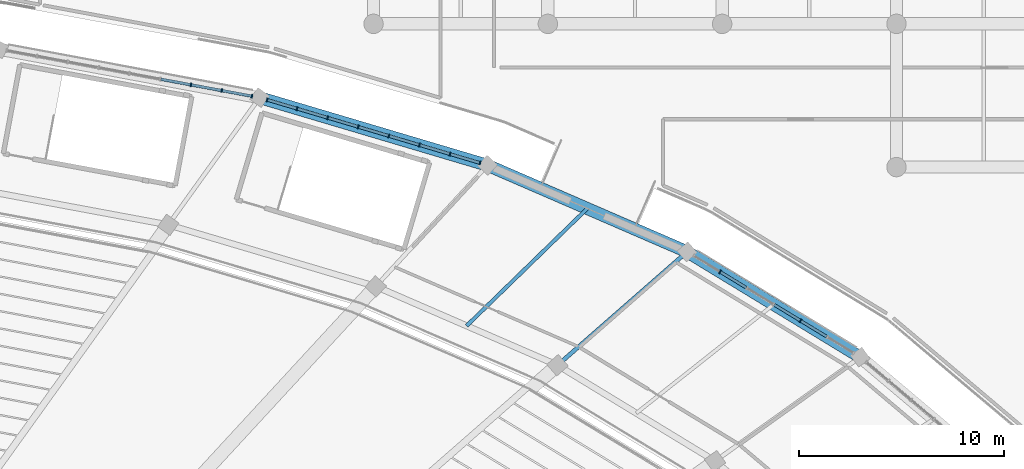
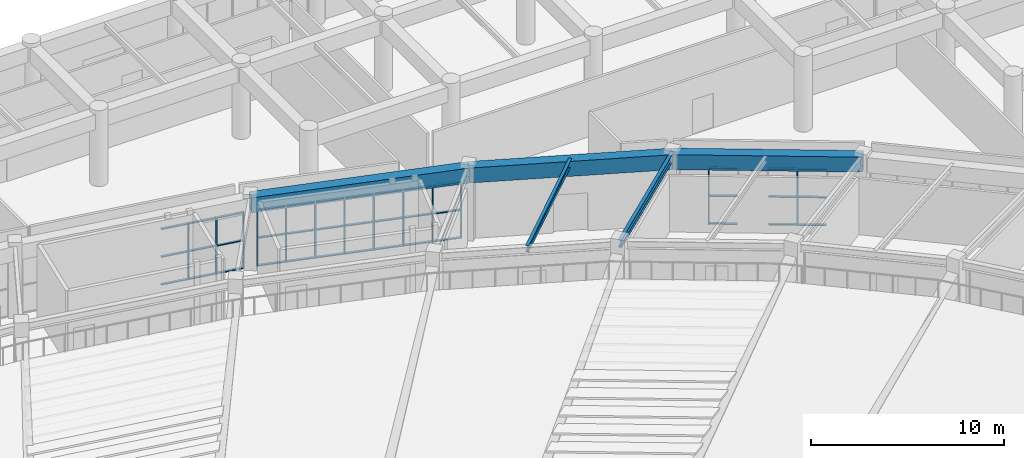
# One storey, part 67 of 137: 52 members, 5 beams, 3 elements without a shape of their own.
"""IFC4 building model written with IfcOpenShell, lengths in metres."""

from ifc_helpers import new_model, si_unit, direction, frame, origin, origin_2d, place, context, subcontext, project, spatial, rectangle, i_section, extrude, material, layer, layer_set, material_profile, profile_set, type_object, element, aggregate, save


model = new_model("IFC4")

# Units and contexts
model_context = context("Model", 3, precision=1e-05, world=origin(), true_north=direction((0.0, 1.0)))
body_context = subcontext(model_context, "Body", "Model", "MODEL_VIEW")
ifc_project = project(units=[si_unit("LENGTHUNIT", "METRE"), si_unit("AREAUNIT", "SQUARE_METRE"), si_unit("VOLUMEUNIT", "CUBIC_METRE"), si_unit("PLANEANGLEUNIT", "RADIAN"), si_unit("MASSUNIT", "GRAM", prefix="KILO")], contexts=[model_context])

# Site, building, storey
site_placement = place(None, origin())
site = spatial("IfcSite", under=ifc_project, at=site_placement, CompositionType="ELEMENT")
building_placement = place(site_placement, origin())
building = spatial("IfcBuilding", under=site, at=building_placement, Name="Mphavela Belvedere Stadium", CompositionType="ELEMENT")
storey_placement = place(building_placement, frame((0.0, 0.0, 19.199951171875)))
storey = spatial("IfcBuildingStorey", under=building, at=storey_placement, Name="L04", CompositionType="ELEMENT", Elevation=19.199951171875)

# Beams
ifc_material_1 = material(Name="Concrete C40/50", Category="concrete")
ifc_material_profile_1 = material_profile(ifc_material_1, rectangle(XDim=0.60009765625, YDim=0.949951171875, at=origin_2d()), Name="RC 600x950")
ifc_profile_set_1 = profile_set([ifc_material_profile_1], Name="Concrete C40/50")
beam_type_1 = type_object("IfcBeamType", Name="BM-ENTABLATURE-950", PredefinedType="SPANDREL", material=ifc_profile_set_1)
beam_1_placement = place(storey_placement, frame((194.155517578125, 143.714599609375, 4.074951171875), z_axis=(-0.854326607994, 0.51973651678, 0.0), x_axis=(-0.51973651678, -0.854326607994, 0.0)))
element("IfcBeam", 1, at=beam_1_placement, inside=storey, type_object=beam_type_1, Name="Circumferential girder L04 R4-07", PredefinedType="SPANDREL", context=body_context, shape_type="SweptSolid", body=[
    extrude(rectangle(XDim=0.60009765625, YDim=0.949951171875, at=origin_2d()), origin(), (0.0, 0.0, 1.0), 9.901611328125),
])
beam_2_placement = place(storey_placement, frame((185.6962890625, 148.86083984375, 4.074951171875), z_axis=(-0.91749867224, 0.397738842004, 0.0), x_axis=(-0.397738842004, -0.91749867224, 0.0)))
element("IfcBeam", 2, at=beam_2_placement, inside=storey, type_object=beam_type_1, Name="Circumferential girder L04 R4-08", PredefinedType="SPANDREL", context=body_context, shape_type="SweptSolid", body=[
    extrude(rectangle(XDim=0.60009765625, YDim=0.949951171875, at=origin_2d()), origin(), (0.0, 0.0, 1.0), 10.63623046875),
])
beam_3_placement = place(storey_placement, frame((175.9375, 153.09130859375, 4.074951171875), z_axis=(-0.958656362639, 0.284566298727, 0.0), x_axis=(-0.284566298727, -0.958656362639, 0.0)))
element("IfcBeam", 3, at=beam_3_placement, inside=storey, type_object=beam_type_1, Name="Circumferential girder L04 R4-09", PredefinedType="SPANDREL", context=body_context, shape_type="SweptSolid", body=[
    extrude(rectangle(XDim=0.60009765625, YDim=0.949951171875, at=origin_2d()), origin(), (0.0, 0.0, 1.0), 11.616455078125),
])
ifc_material_2 = material(Name="Steel S355", Category="steel")
ifc_material_profile_2 = material_profile(ifc_material_2, i_section(OverallWidth=0.179931640625, OverallDepth=0.39990234375, WebThickness=0.008544921875, FlangeThickness=0.013427734375, at=origin_2d()), Name="IPE 400")
ifc_profile_set_2 = profile_set([ifc_material_profile_2], Name="Steel S355")
beam_type_2 = type_object("IfcBeamType", Name="BM-JOIST-IPE400", PredefinedType="JOIST", material=ifc_profile_set_2)
beam_4_placement = place(storey_placement, frame((174.918212890625, 145.242431640625, 4.35009765625), z_axis=(0.717067022089, 0.697004222249, 0.0), x_axis=(-0.697004222249, 0.717067022089, 0.0)))
element("IfcBeam", 4, at=beam_4_placement, inside=storey, type_object=beam_type_2, Name="Concourse floor joist L04-08", PredefinedType="JOIST", context=body_context, shape_type="SweptSolid", body=[
    extrude(i_section(OverallWidth=0.179931640625, OverallDepth=0.39990234375, WebThickness=0.008544921875, FlangeThickness=0.013427734375, at=origin_2d()), origin(), (0.0, 0.0, 1.0), 8.22607421875),
])
ifc_material_3 = material(Name="Steel S355", Category="steel")
ifc_material_profile_3 = material_profile(ifc_material_3, i_section(OverallWidth=0.199951171875, OverallDepth=0.5, WebThickness=0.01025390625, FlangeThickness=0.01611328125, at=origin_2d()), Name="IPE 500")
ifc_profile_set_3 = profile_set([ifc_material_profile_3], Name="Steel S355")
beam_type_3 = type_object("IfcBeamType", Name="BM-STEEL-IPE500", PredefinedType="BEAM", material=ifc_profile_set_3)
beam_5_placement = place(storey_placement, frame((179.360107421875, 143.31689453125, 4.300048828125), z_axis=(0.752589268993, 0.658490236978, 0.0), x_axis=(-0.658490236978, 0.752589268993, 0.0)))
element("IfcBeam", 5, at=beam_5_placement, inside=storey, type_object=beam_type_3, Name="Radial concourse girder L04 R3R4-08", PredefinedType="BEAM", context=body_context, shape_type="SweptSolid", body=[
    extrude(i_section(OverallWidth=0.199951171875, OverallDepth=0.5, WebThickness=0.01025390625, FlangeThickness=0.01611328125, at=origin_2d()), origin(), (0.0, 0.0, 1.0), 8.419189453125),
])

# Curtain wall, members
ifc_material_4 = material(Name="Anodised bronze unitised curtain wall framing")
ifc_layer_1 = layer(ifc_material_4, 0.195068359375)
ifc_layer_set_1 = layer_set([ifc_layer_1], Name="Anodised bronze unitised curtain wall framing")
curtain_wall_type_1 = type_object("IfcCurtainWallType", Name="CW-UNIT-04", PredefinedType="USERDEFINED", material=ifc_layer_set_1)
curtain_wall_1_placement = place(storey_placement, origin())
curtain_wall_1 = element("IfcCurtainWall", 6, at=curtain_wall_1_placement, inside=storey, type_object=curtain_wall_type_1, Name="Belvedere colonnade curtain wall L04-07", ObjectType="UNITISED CURTAIN WALL", PredefinedType="USERDEFINED")
ifc_material_5 = material(Name="Anodised bronze extruded aluminium", Category="aluminium")
ifc_material_profile_4 = material_profile(ifc_material_5, rectangle(XDim=0.179931640625, YDim=0.06494140625, at=origin_2d()), Name="CW-MUL 180x65")
ifc_profile_set_4 = profile_set([ifc_material_profile_4], Name="Anodised bronze extruded aluminium")
member_type_1 = type_object("IfcMemberType", Name="CWM-180x65", PredefinedType="MULLION", material=ifc_profile_set_4)
member_1_placement = place(storey_placement, frame((191.23681640625, 145.490234375, 0.0), z_axis=(0.0, 0.0, 1.0), x_axis=(-0.519735341101, -0.854327323226, 0.0)))
member_1 = element("IfcMember", 7, at=member_1_placement, type_object=member_type_1, Name="CW-04 mullion 3", PredefinedType="MULLION", context=body_context, shape_type="SweptSolid", body=[
    extrude(rectangle(XDim=0.179931640625, YDim=0.06494140625, at=origin_2d()), origin(), (0.0, 0.0, 1.0), 3.570068359375),
])
member_2_placement = place(storey_placement, frame((187.30419921875, 147.882568359375, 0.0), z_axis=(0.0, 0.0, 1.0), x_axis=(-0.519735341101, -0.854327323226, 0.0)))
member_2 = element("IfcMember", 8, at=member_2_placement, type_object=member_type_1, Name="CW-04 mullion 6", PredefinedType="MULLION", context=body_context, shape_type="SweptSolid", body=[
    extrude(rectangle(XDim=0.179931640625, YDim=0.06494140625, at=origin_2d()), origin(), (0.0, 0.0, 1.0), 3.570068359375),
])

ifc_material_6 = material(Name="Anodised bronze unitised curtain wall framing")
ifc_layer_2 = layer(ifc_material_6, 0.199951171875)
ifc_layer_set_2 = layer_set([ifc_layer_2], Name="Anodised bronze unitised curtain wall framing")
curtain_wall_type_2 = type_object("IfcCurtainWallType", Name="CW-UNIT-05", PredefinedType="USERDEFINED", material=ifc_layer_set_2)
curtain_wall_2_placement = place(storey_placement, origin())
curtain_wall_2 = element("IfcCurtainWall", 9, at=curtain_wall_2_placement, inside=storey, type_object=curtain_wall_type_2, Name="Belvedere colonnade curtain wall L04-09", ObjectType="UNITISED CURTAIN WALL", PredefinedType="USERDEFINED")
member_3_placement = place(storey_placement, frame((175.57275390625, 153.199462890625, 0.0), z_axis=(0.0, 0.0, 1.0), x_axis=(-0.284560945489, -0.958657951671, 0.0)))
member_3 = element("IfcMember", 10, at=member_3_placement, type_object=member_type_1, Name="CW-05 mullion 1", PredefinedType="MULLION", context=body_context, shape_type="SweptSolid", body=[
    extrude(rectangle(XDim=0.179931640625, YDim=0.06494140625, at=origin_2d()), origin(), (0.0, 0.0, 1.0), 3.570068359375),
])
member_4_placement = place(storey_placement, frame((174.1083984375, 153.63427734375, 0.0), z_axis=(0.0, 0.0, 1.0), x_axis=(-0.284560945489, -0.958657951671, 0.0)))
member_4 = element("IfcMember", 11, at=member_4_placement, type_object=member_type_1, Name="CW-05 mullion 2", PredefinedType="MULLION", context=body_context, shape_type="SweptSolid", body=[
    extrude(rectangle(XDim=0.179931640625, YDim=0.06494140625, at=origin_2d()), origin(), (0.0, 0.0, 1.0), 3.570068359375),
])
member_5_placement = place(storey_placement, frame((172.61279296875, 154.078125, 0.0), z_axis=(0.0, 0.0, 1.0), x_axis=(-0.284560945489, -0.958657951671, 0.0)))
member_5 = element("IfcMember", 12, at=member_5_placement, type_object=member_type_1, Name="CW-05 mullion 3", PredefinedType="MULLION", context=body_context, shape_type="SweptSolid", body=[
    extrude(rectangle(XDim=0.179931640625, YDim=0.06494140625, at=origin_2d()), origin(), (0.0, 0.0, 1.0), 3.570068359375),
])
member_6_placement = place(storey_placement, frame((171.1171875, 154.522216796875, 0.0), z_axis=(0.0, 0.0, 1.0), x_axis=(-0.284560945489, -0.958657951671, 0.0)))
member_6 = element("IfcMember", 13, at=member_6_placement, type_object=member_type_1, Name="CW-05 mullion 4", PredefinedType="MULLION", context=body_context, shape_type="SweptSolid", body=[
    extrude(rectangle(XDim=0.179931640625, YDim=0.06494140625, at=origin_2d()), origin(), (0.0, 0.0, 1.0), 3.570068359375),
])
member_7_placement = place(storey_placement, frame((169.62158203125, 154.966064453125, 0.0), z_axis=(0.0, 0.0, 1.0), x_axis=(-0.284560945489, -0.958657951671, 0.0)))
member_7 = element("IfcMember", 14, at=member_7_placement, type_object=member_type_1, Name="CW-05 mullion 5", PredefinedType="MULLION", context=body_context, shape_type="SweptSolid", body=[
    extrude(rectangle(XDim=0.179931640625, YDim=0.06494140625, at=origin_2d()), origin(), (0.0, 0.0, 1.0), 3.570068359375),
])
member_8_placement = place(storey_placement, frame((168.1259765625, 155.409912109375, 0.0), z_axis=(0.0, 0.0, 1.0), x_axis=(-0.284560945489, -0.958657951671, 0.0)))
member_8 = element("IfcMember", 15, at=member_8_placement, type_object=member_type_1, Name="CW-05 mullion 6", PredefinedType="MULLION", context=body_context, shape_type="SweptSolid", body=[
    extrude(rectangle(XDim=0.179931640625, YDim=0.06494140625, at=origin_2d()), origin(), (0.0, 0.0, 1.0), 3.570068359375),
])
member_9_placement = place(storey_placement, frame((166.63037109375, 155.85400390625, 0.0), z_axis=(0.0, 0.0, 1.0), x_axis=(-0.284560945489, -0.958657951671, 0.0)))
member_9 = element("IfcMember", 16, at=member_9_placement, type_object=member_type_1, Name="CW-05 mullion 7", PredefinedType="MULLION", context=body_context, shape_type="SweptSolid", body=[
    extrude(rectangle(XDim=0.179931640625, YDim=0.06494140625, at=origin_2d()), origin(), (0.0, 0.0, 1.0), 3.570068359375),
])
member_10_placement = place(storey_placement, frame((165.166015625, 156.28857421875, 0.0), z_axis=(0.0, 0.0, 1.0), x_axis=(-0.284560945489, -0.958657951671, 0.0)))
member_10 = element("IfcMember", 17, at=member_10_placement, type_object=member_type_1, Name="CW-05 mullion 8", PredefinedType="MULLION", context=body_context, shape_type="SweptSolid", body=[
    extrude(rectangle(XDim=0.179931640625, YDim=0.06494140625, at=origin_2d()), origin(), (0.0, 0.0, 1.0), 3.570068359375),
])

ifc_material_7 = material(Name="Anodised bronze unitised curtain wall framing")
ifc_layer_3 = layer(ifc_material_7, 0.205078125)
ifc_layer_set_3 = layer_set([ifc_layer_3], Name="Anodised bronze unitised curtain wall framing")
curtain_wall_type_3 = type_object("IfcCurtainWallType", Name="CW-UNIT-06", PredefinedType="USERDEFINED", material=ifc_layer_set_3)
curtain_wall_3_placement = place(storey_placement, origin())
curtain_wall_3 = element("IfcCurtainWall", 18, at=curtain_wall_3_placement, inside=storey, type_object=curtain_wall_type_3, Name="Belvedere colonnade curtain wall L04-10", ObjectType="UNITISED CURTAIN WALL", PredefinedType="USERDEFINED")
member_11_placement = place(storey_placement, frame((164.42724609375, 156.466552734375, 0.0), z_axis=(0.0, 0.0, 1.0), x_axis=(-0.183090835302, -0.983096000413, 0.0)))
member_11 = element("IfcMember", 19, at=member_11_placement, type_object=member_type_1, Name="CW-06 mullion 1", PredefinedType="MULLION", context=body_context, shape_type="SweptSolid", body=[
    extrude(rectangle(XDim=0.179931640625, YDim=0.06494140625, at=origin_2d()), origin(), (0.0, 0.0, 1.0), 3.570068359375),
])
member_12_placement = place(storey_placement, frame((162.95361328125, 156.740966796875, 0.0), z_axis=(0.0, 0.0, 1.0), x_axis=(-0.183090835302, -0.983096000413, 0.0)))
member_12 = element("IfcMember", 20, at=member_12_placement, type_object=member_type_1, Name="CW-06 mullion 2", PredefinedType="MULLION", context=body_context, shape_type="SweptSolid", body=[
    extrude(rectangle(XDim=0.179931640625, YDim=0.06494140625, at=origin_2d()), origin(), (0.0, 0.0, 1.0), 3.570068359375),
])
member_13_placement = place(storey_placement, frame((161.447998046875, 157.021484375, 0.0), z_axis=(0.0, 0.0, 1.0), x_axis=(-0.183090835302, -0.983096000413, 0.0)))
member_13 = element("IfcMember", 21, at=member_13_placement, type_object=member_type_1, Name="CW-06 mullion 3", PredefinedType="MULLION", context=body_context, shape_type="SweptSolid", body=[
    extrude(rectangle(XDim=0.179931640625, YDim=0.06494140625, at=origin_2d()), origin(), (0.0, 0.0, 1.0), 3.570068359375),
])

# Member
ifc_material_8 = material(Name="Anodised bronze extruded aluminium", Category="aluminium")
ifc_material_profile_5 = material_profile(ifc_material_8, rectangle(XDim=0.139892578125, YDim=0.06005859375, at=origin_2d()), Name="CW-TRN 140x60")
ifc_profile_set_5 = profile_set([ifc_material_profile_5], Name="Anodised bronze extruded aluminium")
member_type_2 = type_object("IfcMemberType", Name="CWT-140x60", PredefinedType="USERDEFINED", material=ifc_profile_set_5)
member_14_placement = place(storey_placement, frame((192.519775390625, 144.709716796875, 0.030029296875), z_axis=(-0.854339693741, 0.519715006228, 0.0), x_axis=(-0.519715006228, -0.854339693741, 0.0)))
member_14 = element("IfcMember", 22, at=member_14_placement, type_object=member_type_2, Name="CW-04 transom 2.1", ObjectType="TRANSOM", PredefinedType="USERDEFINED", context=body_context, shape_type="SweptSolid", body=[
    extrude(rectangle(XDim=0.139892578125, YDim=0.06005859375, at=origin_2d()), origin(), (0.0, 0.0, 1.0), 1.469482421875),
])

member_15_placement = place(storey_placement, frame((192.519775390625, 144.709716796875, 1.78515625), z_axis=(-0.854339693741, 0.519715006228, 0.0), x_axis=(-0.519715006228, -0.854339693741, 0.0)))
member_15 = element("IfcMember", 23, at=member_15_placement, type_object=member_type_2, Name="CW-04 transom 2.2", ObjectType="TRANSOM", PredefinedType="USERDEFINED", context=body_context, shape_type="SweptSolid", body=[
    extrude(rectangle(XDim=0.139892578125, YDim=0.06005859375, at=origin_2d()), origin(), (0.0, 0.0, 1.0), 1.469482421875),
])

member_16_placement = place(storey_placement, frame((192.519775390625, 144.709716796875, 3.5400390625), z_axis=(-0.854339693741, 0.519715006228, 0.0), x_axis=(-0.519715006228, -0.854339693741, 0.0)))
member_16 = element("IfcMember", 24, at=member_16_placement, type_object=member_type_2, Name="CW-04 transom 2.3", ObjectType="TRANSOM", PredefinedType="USERDEFINED", context=body_context, shape_type="SweptSolid", body=[
    extrude(rectangle(XDim=0.139892578125, YDim=0.06005859375, at=origin_2d()), origin(), (0.0, 0.0, 1.0), 1.469482421875),
])

member_17_placement = place(storey_placement, frame((191.208984375, 145.507080078125, 0.030029296875), z_axis=(-0.854339693741, 0.519715006228, 0.0), x_axis=(-0.519715006228, -0.854339693741, 0.0)))
member_17 = element("IfcMember", 25, at=member_17_placement, type_object=member_type_2, Name="CW-04 transom 3.1", ObjectType="TRANSOM", PredefinedType="USERDEFINED", context=body_context, shape_type="SweptSolid", body=[
    extrude(rectangle(XDim=0.139892578125, YDim=0.06005859375, at=origin_2d()), origin(), (0.0, 0.0, 1.0), 1.469482421875),
])

member_18_placement = place(storey_placement, frame((191.208984375, 145.507080078125, 1.78515625), z_axis=(-0.854339693741, 0.519715006228, 0.0), x_axis=(-0.519715006228, -0.854339693741, 0.0)))
member_18 = element("IfcMember", 26, at=member_18_placement, type_object=member_type_2, Name="CW-04 transom 3.2", ObjectType="TRANSOM", PredefinedType="USERDEFINED", context=body_context, shape_type="SweptSolid", body=[
    extrude(rectangle(XDim=0.139892578125, YDim=0.06005859375, at=origin_2d()), origin(), (0.0, 0.0, 1.0), 1.469482421875),
])

member_19_placement = place(storey_placement, frame((191.208984375, 145.507080078125, 3.5400390625), z_axis=(-0.854339693741, 0.519715006228, 0.0), x_axis=(-0.519715006228, -0.854339693741, 0.0)))
member_19 = element("IfcMember", 27, at=member_19_placement, type_object=member_type_2, Name="CW-04 transom 3.3", ObjectType="TRANSOM", PredefinedType="USERDEFINED", context=body_context, shape_type="SweptSolid", body=[
    extrude(rectangle(XDim=0.139892578125, YDim=0.06005859375, at=origin_2d()), origin(), (0.0, 0.0, 1.0), 1.469482421875),
])

member_20_placement = place(storey_placement, frame((188.58740234375, 147.10205078125, 0.030029296875), z_axis=(-0.854339693741, 0.519715006228, 0.0), x_axis=(-0.519715006228, -0.854339693741, 0.0)))
member_20 = element("IfcMember", 28, at=member_20_placement, type_object=member_type_2, Name="CW-04 transom 5.1", ObjectType="TRANSOM", PredefinedType="USERDEFINED", context=body_context, shape_type="SweptSolid", body=[
    extrude(rectangle(XDim=0.139892578125, YDim=0.06005859375, at=origin_2d()), origin(), (0.0, 0.0, 1.0), 1.469482421875),
])

member_21_placement = place(storey_placement, frame((188.58740234375, 147.10205078125, 1.78515625), z_axis=(-0.854339693741, 0.519715006228, 0.0), x_axis=(-0.519715006228, -0.854339693741, 0.0)))
member_21 = element("IfcMember", 29, at=member_21_placement, type_object=member_type_2, Name="CW-04 transom 5.2", ObjectType="TRANSOM", PredefinedType="USERDEFINED", context=body_context, shape_type="SweptSolid", body=[
    extrude(rectangle(XDim=0.139892578125, YDim=0.06005859375, at=origin_2d()), origin(), (0.0, 0.0, 1.0), 1.469482421875),
])

member_22_placement = place(storey_placement, frame((188.58740234375, 147.10205078125, 3.5400390625), z_axis=(-0.854339693741, 0.519715006228, 0.0), x_axis=(-0.519715006228, -0.854339693741, 0.0)))
member_22 = element("IfcMember", 30, at=member_22_placement, type_object=member_type_2, Name="CW-04 transom 5.3", ObjectType="TRANSOM", PredefinedType="USERDEFINED", context=body_context, shape_type="SweptSolid", body=[
    extrude(rectangle(XDim=0.139892578125, YDim=0.06005859375, at=origin_2d()), origin(), (0.0, 0.0, 1.0), 1.469482421875),
])

aggregate(curtain_wall_1, [member_1, member_2, member_14, member_15, member_16, member_17, member_18, member_19, member_20, member_21, member_22])

member_23_placement = place(storey_placement, frame((175.541748046875, 153.208740234375, 0.030029296875), z_axis=(-0.958644731481, 0.284605479223, 0.0), x_axis=(-0.284605479223, -0.958644731481, 0.0)))
member_23 = element("IfcMember", 31, at=member_23_placement, type_object=member_type_2, Name="CW-05 transom 1.1", ObjectType="TRANSOM", PredefinedType="USERDEFINED", context=body_context, shape_type="SweptSolid", body=[
    extrude(rectangle(XDim=0.139892578125, YDim=0.06005859375, at=origin_2d()), origin(), (0.0, 0.0, 1.0), 1.462646484375),
])

member_24_placement = place(storey_placement, frame((175.541748046875, 153.208740234375, 1.78515625), z_axis=(-0.958644731481, 0.284605479223, 0.0), x_axis=(-0.284605479223, -0.958644731481, 0.0)))
member_24 = element("IfcMember", 32, at=member_24_placement, type_object=member_type_2, Name="CW-05 transom 1.2", ObjectType="TRANSOM", PredefinedType="USERDEFINED", context=body_context, shape_type="SweptSolid", body=[
    extrude(rectangle(XDim=0.139892578125, YDim=0.06005859375, at=origin_2d()), origin(), (0.0, 0.0, 1.0), 1.462646484375),
])

member_25_placement = place(storey_placement, frame((175.541748046875, 153.208740234375, 3.5400390625), z_axis=(-0.958644731481, 0.284605479223, 0.0), x_axis=(-0.284605479223, -0.958644731481, 0.0)))
member_25 = element("IfcMember", 33, at=member_25_placement, type_object=member_type_2, Name="CW-05 transom 1.3", ObjectType="TRANSOM", PredefinedType="USERDEFINED", context=body_context, shape_type="SweptSolid", body=[
    extrude(rectangle(XDim=0.139892578125, YDim=0.06005859375, at=origin_2d()), origin(), (0.0, 0.0, 1.0), 1.462646484375),
])

member_26_placement = place(storey_placement, frame((174.0771484375, 153.6435546875, 0.030029296875), z_axis=(-0.958676102342, 0.284499790508, 0.0), x_axis=(-0.284499790508, -0.958676102342, 0.0)))
member_26 = element("IfcMember", 34, at=member_26_placement, type_object=member_type_2, Name="CW-05 transom 2.1", ObjectType="TRANSOM", PredefinedType="USERDEFINED", context=body_context, shape_type="SweptSolid", body=[
    extrude(rectangle(XDim=0.139892578125, YDim=0.06005859375, at=origin_2d()), origin(), (0.0, 0.0, 1.0), 1.494873046875),
])

member_27_placement = place(storey_placement, frame((174.0771484375, 153.6435546875, 1.78515625), z_axis=(-0.958676102342, 0.284499790508, 0.0), x_axis=(-0.284499790508, -0.958676102342, 0.0)))
member_27 = element("IfcMember", 35, at=member_27_placement, type_object=member_type_2, Name="CW-05 transom 2.2", ObjectType="TRANSOM", PredefinedType="USERDEFINED", context=body_context, shape_type="SweptSolid", body=[
    extrude(rectangle(XDim=0.139892578125, YDim=0.06005859375, at=origin_2d()), origin(), (0.0, 0.0, 1.0), 1.494873046875),
])

member_28_placement = place(storey_placement, frame((174.0771484375, 153.6435546875, 3.5400390625), z_axis=(-0.958676102342, 0.284499790508, 0.0), x_axis=(-0.284499790508, -0.958676102342, 0.0)))
member_28 = element("IfcMember", 36, at=member_28_placement, type_object=member_type_2, Name="CW-05 transom 2.3", ObjectType="TRANSOM", PredefinedType="USERDEFINED", context=body_context, shape_type="SweptSolid", body=[
    extrude(rectangle(XDim=0.139892578125, YDim=0.06005859375, at=origin_2d()), origin(), (0.0, 0.0, 1.0), 1.494873046875),
])

member_29_placement = place(storey_placement, frame((172.58154296875, 154.08740234375, 0.030029296875), z_axis=(-0.958631548823, 0.284649878977, 0.0), x_axis=(-0.284649878977, -0.958631548823, 0.0)))
member_29 = element("IfcMember", 37, at=member_29_placement, type_object=member_type_2, Name="CW-05 transom 3.1", ObjectType="TRANSOM", PredefinedType="USERDEFINED", context=body_context, shape_type="SweptSolid", body=[
    extrude(rectangle(XDim=0.139892578125, YDim=0.06005859375, at=origin_2d()), origin(), (0.0, 0.0, 1.0), 1.494873046875),
])

member_30_placement = place(storey_placement, frame((172.58154296875, 154.08740234375, 1.78515625), z_axis=(-0.958631548823, 0.284649878977, 0.0), x_axis=(-0.284649878977, -0.958631548823, 0.0)))
member_30 = element("IfcMember", 38, at=member_30_placement, type_object=member_type_2, Name="CW-05 transom 3.2", ObjectType="TRANSOM", PredefinedType="USERDEFINED", context=body_context, shape_type="SweptSolid", body=[
    extrude(rectangle(XDim=0.139892578125, YDim=0.06005859375, at=origin_2d()), origin(), (0.0, 0.0, 1.0), 1.494873046875),
])

member_31_placement = place(storey_placement, frame((172.58154296875, 154.08740234375, 3.5400390625), z_axis=(-0.958631548823, 0.284649878977, 0.0), x_axis=(-0.284649878977, -0.958631548823, 0.0)))
member_31 = element("IfcMember", 39, at=member_31_placement, type_object=member_type_2, Name="CW-05 transom 3.3", ObjectType="TRANSOM", PredefinedType="USERDEFINED", context=body_context, shape_type="SweptSolid", body=[
    extrude(rectangle(XDim=0.139892578125, YDim=0.06005859375, at=origin_2d()), origin(), (0.0, 0.0, 1.0), 1.494873046875),
])

member_32_placement = place(storey_placement, frame((171.0859375, 154.531494140625, 0.030029296875), z_axis=(-0.958676102342, 0.284499790508, 0.0), x_axis=(-0.284499790508, -0.958676102342, 0.0)))
member_32 = element("IfcMember", 40, at=member_32_placement, type_object=member_type_2, Name="CW-05 transom 4.1", ObjectType="TRANSOM", PredefinedType="USERDEFINED", context=body_context, shape_type="SweptSolid", body=[
    extrude(rectangle(XDim=0.139892578125, YDim=0.06005859375, at=origin_2d()), origin(), (0.0, 0.0, 1.0), 1.494873046875),
])

member_33_placement = place(storey_placement, frame((171.0859375, 154.531494140625, 1.78515625), z_axis=(-0.958676102342, 0.284499790508, 0.0), x_axis=(-0.284499790508, -0.958676102342, 0.0)))
member_33 = element("IfcMember", 41, at=member_33_placement, type_object=member_type_2, Name="CW-05 transom 4.2", ObjectType="TRANSOM", PredefinedType="USERDEFINED", context=body_context, shape_type="SweptSolid", body=[
    extrude(rectangle(XDim=0.139892578125, YDim=0.06005859375, at=origin_2d()), origin(), (0.0, 0.0, 1.0), 1.494873046875),
])

member_34_placement = place(storey_placement, frame((171.0859375, 154.531494140625, 3.5400390625), z_axis=(-0.958676102342, 0.284499790508, 0.0), x_axis=(-0.284499790508, -0.958676102342, 0.0)))
member_34 = element("IfcMember", 42, at=member_34_placement, type_object=member_type_2, Name="CW-05 transom 4.3", ObjectType="TRANSOM", PredefinedType="USERDEFINED", context=body_context, shape_type="SweptSolid", body=[
    extrude(rectangle(XDim=0.139892578125, YDim=0.06005859375, at=origin_2d()), origin(), (0.0, 0.0, 1.0), 1.494873046875),
])

member_35_placement = place(storey_placement, frame((169.59033203125, 154.975341796875, 0.030029296875), z_axis=(-0.958631548823, 0.284649878977, 0.0), x_axis=(-0.284649878977, -0.958631548823, 0.0)))
member_35 = element("IfcMember", 43, at=member_35_placement, type_object=member_type_2, Name="CW-05 transom 5.1", ObjectType="TRANSOM", PredefinedType="USERDEFINED", context=body_context, shape_type="SweptSolid", body=[
    extrude(rectangle(XDim=0.139892578125, YDim=0.06005859375, at=origin_2d()), origin(), (0.0, 0.0, 1.0), 1.494873046875),
])

member_36_placement = place(storey_placement, frame((169.59033203125, 154.975341796875, 1.78515625), z_axis=(-0.958631548823, 0.284649878977, 0.0), x_axis=(-0.284649878977, -0.958631548823, 0.0)))
member_36 = element("IfcMember", 44, at=member_36_placement, type_object=member_type_2, Name="CW-05 transom 5.2", ObjectType="TRANSOM", PredefinedType="USERDEFINED", context=body_context, shape_type="SweptSolid", body=[
    extrude(rectangle(XDim=0.139892578125, YDim=0.06005859375, at=origin_2d()), origin(), (0.0, 0.0, 1.0), 1.494873046875),
])

member_37_placement = place(storey_placement, frame((169.59033203125, 154.975341796875, 3.5400390625), z_axis=(-0.958631548823, 0.284649878977, 0.0), x_axis=(-0.284649878977, -0.958631548823, 0.0)))
member_37 = element("IfcMember", 45, at=member_37_placement, type_object=member_type_2, Name="CW-05 transom 5.3", ObjectType="TRANSOM", PredefinedType="USERDEFINED", context=body_context, shape_type="SweptSolid", body=[
    extrude(rectangle(XDim=0.139892578125, YDim=0.06005859375, at=origin_2d()), origin(), (0.0, 0.0, 1.0), 1.494873046875),
])

member_38_placement = place(storey_placement, frame((168.0947265625, 155.419189453125, 0.030029296875), z_axis=(-0.958631548823, 0.284649878977, 0.0), x_axis=(-0.284649878977, -0.958631548823, 0.0)))
member_38 = element("IfcMember", 46, at=member_38_placement, type_object=member_type_2, Name="CW-05 transom 6.1", ObjectType="TRANSOM", PredefinedType="USERDEFINED", context=body_context, shape_type="SweptSolid", body=[
    extrude(rectangle(XDim=0.139892578125, YDim=0.06005859375, at=origin_2d()), origin(), (0.0, 0.0, 1.0), 1.494873046875),
])

member_39_placement = place(storey_placement, frame((168.0947265625, 155.419189453125, 1.78515625), z_axis=(-0.958631548823, 0.284649878977, 0.0), x_axis=(-0.284649878977, -0.958631548823, 0.0)))
member_39 = element("IfcMember", 47, at=member_39_placement, type_object=member_type_2, Name="CW-05 transom 6.2", ObjectType="TRANSOM", PredefinedType="USERDEFINED", context=body_context, shape_type="SweptSolid", body=[
    extrude(rectangle(XDim=0.139892578125, YDim=0.06005859375, at=origin_2d()), origin(), (0.0, 0.0, 1.0), 1.494873046875),
])

member_40_placement = place(storey_placement, frame((168.0947265625, 155.419189453125, 3.5400390625), z_axis=(-0.958631548823, 0.284649878977, 0.0), x_axis=(-0.284649878977, -0.958631548823, 0.0)))
member_40 = element("IfcMember", 48, at=member_40_placement, type_object=member_type_2, Name="CW-05 transom 6.3", ObjectType="TRANSOM", PredefinedType="USERDEFINED", context=body_context, shape_type="SweptSolid", body=[
    extrude(rectangle(XDim=0.139892578125, YDim=0.06005859375, at=origin_2d()), origin(), (0.0, 0.0, 1.0), 1.494873046875),
])

member_41_placement = place(storey_placement, frame((166.599365234375, 155.86328125, 0.030029296875), z_axis=(-0.958703767899, 0.28440654953, 0.0), x_axis=(-0.28440654953, -0.958703767899, 0.0)))
member_41 = element("IfcMember", 49, at=member_41_placement, type_object=member_type_2, Name="CW-05 transom 7.1", ObjectType="TRANSOM", PredefinedType="USERDEFINED", context=body_context, shape_type="SweptSolid", body=[
    extrude(rectangle(XDim=0.139892578125, YDim=0.06005859375, at=origin_2d()), origin(), (0.0, 0.0, 1.0), 1.462646484375),
])

member_42_placement = place(storey_placement, frame((166.599365234375, 155.86328125, 1.78515625), z_axis=(-0.958703767899, 0.28440654953, 0.0), x_axis=(-0.28440654953, -0.958703767899, 0.0)))
member_42 = element("IfcMember", 50, at=member_42_placement, type_object=member_type_2, Name="CW-05 transom 7.2", ObjectType="TRANSOM", PredefinedType="USERDEFINED", context=body_context, shape_type="SweptSolid", body=[
    extrude(rectangle(XDim=0.139892578125, YDim=0.06005859375, at=origin_2d()), origin(), (0.0, 0.0, 1.0), 1.462646484375),
])

member_43_placement = place(storey_placement, frame((166.599365234375, 155.86328125, 3.5400390625), z_axis=(-0.958703767899, 0.28440654953, 0.0), x_axis=(-0.28440654953, -0.958703767899, 0.0)))
member_43 = element("IfcMember", 51, at=member_43_placement, type_object=member_type_2, Name="CW-05 transom 7.3", ObjectType="TRANSOM", PredefinedType="USERDEFINED", context=body_context, shape_type="SweptSolid", body=[
    extrude(rectangle(XDim=0.139892578125, YDim=0.06005859375, at=origin_2d()), origin(), (0.0, 0.0, 1.0), 1.462646484375),
])

aggregate(curtain_wall_2, [member_3, member_4, member_5, member_6, member_7, member_8, member_9, member_10, member_23, member_24, member_25, member_26, member_27, member_28, member_29, member_30, member_31, member_32, member_33, member_34, member_35, member_36, member_37, member_38, member_39, member_40, member_41, member_42, member_43])

member_44_placement = place(storey_placement, frame((164.395263671875, 156.472412109375, 0.030029296875), z_axis=(-0.9830758938, 0.183198763722, 0.0), x_axis=(-0.183198763722, -0.9830758938, 0.0)))
member_44 = element("IfcMember", 52, at=member_44_placement, type_object=member_type_2, Name="CW-06 transom 1.1", ObjectType="TRANSOM", PredefinedType="USERDEFINED", context=body_context, shape_type="SweptSolid", body=[
    extrude(rectangle(XDim=0.139892578125, YDim=0.06005859375, at=origin_2d()), origin(), (0.0, 0.0, 1.0), 1.433837890625),
])

member_45_placement = place(storey_placement, frame((164.395263671875, 156.472412109375, 1.78515625), z_axis=(-0.9830758938, 0.183198763722, 0.0), x_axis=(-0.183198763722, -0.9830758938, 0.0)))
member_45 = element("IfcMember", 53, at=member_45_placement, type_object=member_type_2, Name="CW-06 transom 1.2", ObjectType="TRANSOM", PredefinedType="USERDEFINED", context=body_context, shape_type="SweptSolid", body=[
    extrude(rectangle(XDim=0.139892578125, YDim=0.06005859375, at=origin_2d()), origin(), (0.0, 0.0, 1.0), 1.433837890625),
])

member_46_placement = place(storey_placement, frame((164.395263671875, 156.472412109375, 3.5400390625), z_axis=(-0.9830758938, 0.183198763722, 0.0), x_axis=(-0.183198763722, -0.9830758938, 0.0)))
member_46 = element("IfcMember", 54, at=member_46_placement, type_object=member_type_2, Name="CW-06 transom 1.3", ObjectType="TRANSOM", PredefinedType="USERDEFINED", context=body_context, shape_type="SweptSolid", body=[
    extrude(rectangle(XDim=0.139892578125, YDim=0.06005859375, at=origin_2d()), origin(), (0.0, 0.0, 1.0), 1.433837890625),
])

member_47_placement = place(storey_placement, frame((162.921630859375, 156.746826171875, 0.030029296875), z_axis=(-0.983088250536, 0.183132442945, 0.0), x_axis=(-0.183132442945, -0.983088250536, 0.0)))
member_47 = element("IfcMember", 55, at=member_47_placement, type_object=member_type_2, Name="CW-06 transom 2.1", ObjectType="TRANSOM", PredefinedType="USERDEFINED", context=body_context, shape_type="SweptSolid", body=[
    extrude(rectangle(XDim=0.139892578125, YDim=0.06005859375, at=origin_2d()), origin(), (0.0, 0.0, 1.0), 1.466552734375),
])

member_48_placement = place(storey_placement, frame((162.921630859375, 156.746826171875, 1.78515625), z_axis=(-0.983088250536, 0.183132442945, 0.0), x_axis=(-0.183132442945, -0.983088250536, 0.0)))
member_48 = element("IfcMember", 56, at=member_48_placement, type_object=member_type_2, Name="CW-06 transom 2.2", ObjectType="TRANSOM", PredefinedType="USERDEFINED", context=body_context, shape_type="SweptSolid", body=[
    extrude(rectangle(XDim=0.139892578125, YDim=0.06005859375, at=origin_2d()), origin(), (0.0, 0.0, 1.0), 1.466552734375),
])

member_49_placement = place(storey_placement, frame((162.921630859375, 156.746826171875, 3.5400390625), z_axis=(-0.983088250536, 0.183132442945, 0.0), x_axis=(-0.183132442945, -0.983088250536, 0.0)))
member_49 = element("IfcMember", 57, at=member_49_placement, type_object=member_type_2, Name="CW-06 transom 2.3", ObjectType="TRANSOM", PredefinedType="USERDEFINED", context=body_context, shape_type="SweptSolid", body=[
    extrude(rectangle(XDim=0.139892578125, YDim=0.06005859375, at=origin_2d()), origin(), (0.0, 0.0, 1.0), 1.466552734375),
])

member_50_placement = place(storey_placement, frame((161.416015625, 157.02734375, 0.030029296875), z_axis=(-0.983088250536, 0.183132442945, 0.0), x_axis=(-0.183132442945, -0.983088250536, 0.0)))
member_50 = element("IfcMember", 58, at=member_50_placement, type_object=member_type_2, Name="CW-06 transom 3.1", ObjectType="TRANSOM", PredefinedType="USERDEFINED", context=body_context, shape_type="SweptSolid", body=[
    extrude(rectangle(XDim=0.139892578125, YDim=0.06005859375, at=origin_2d()), origin(), (0.0, 0.0, 1.0), 1.466552734375),
])

member_51_placement = place(storey_placement, frame((161.416015625, 157.02734375, 1.78515625), z_axis=(-0.983088250536, 0.183132442945, 0.0), x_axis=(-0.183132442945, -0.983088250536, 0.0)))
member_51 = element("IfcMember", 59, at=member_51_placement, type_object=member_type_2, Name="CW-06 transom 3.2", ObjectType="TRANSOM", PredefinedType="USERDEFINED", context=body_context, shape_type="SweptSolid", body=[
    extrude(rectangle(XDim=0.139892578125, YDim=0.06005859375, at=origin_2d()), origin(), (0.0, 0.0, 1.0), 1.466552734375),
])

member_52_placement = place(storey_placement, frame((161.416015625, 157.02734375, 3.5400390625), z_axis=(-0.983088250536, 0.183132442945, 0.0), x_axis=(-0.183132442945, -0.983088250536, 0.0)))
member_52 = element("IfcMember", 60, at=member_52_placement, type_object=member_type_2, Name="CW-06 transom 3.3", ObjectType="TRANSOM", PredefinedType="USERDEFINED", context=body_context, shape_type="SweptSolid", body=[
    extrude(rectangle(XDim=0.139892578125, YDim=0.06005859375, at=origin_2d()), origin(), (0.0, 0.0, 1.0), 1.466552734375),
])

aggregate(curtain_wall_3, [member_11, member_12, member_13, member_44, member_45, member_46, member_47, member_48, member_49, member_50, member_51, member_52])

save(model, "model.ifc")
